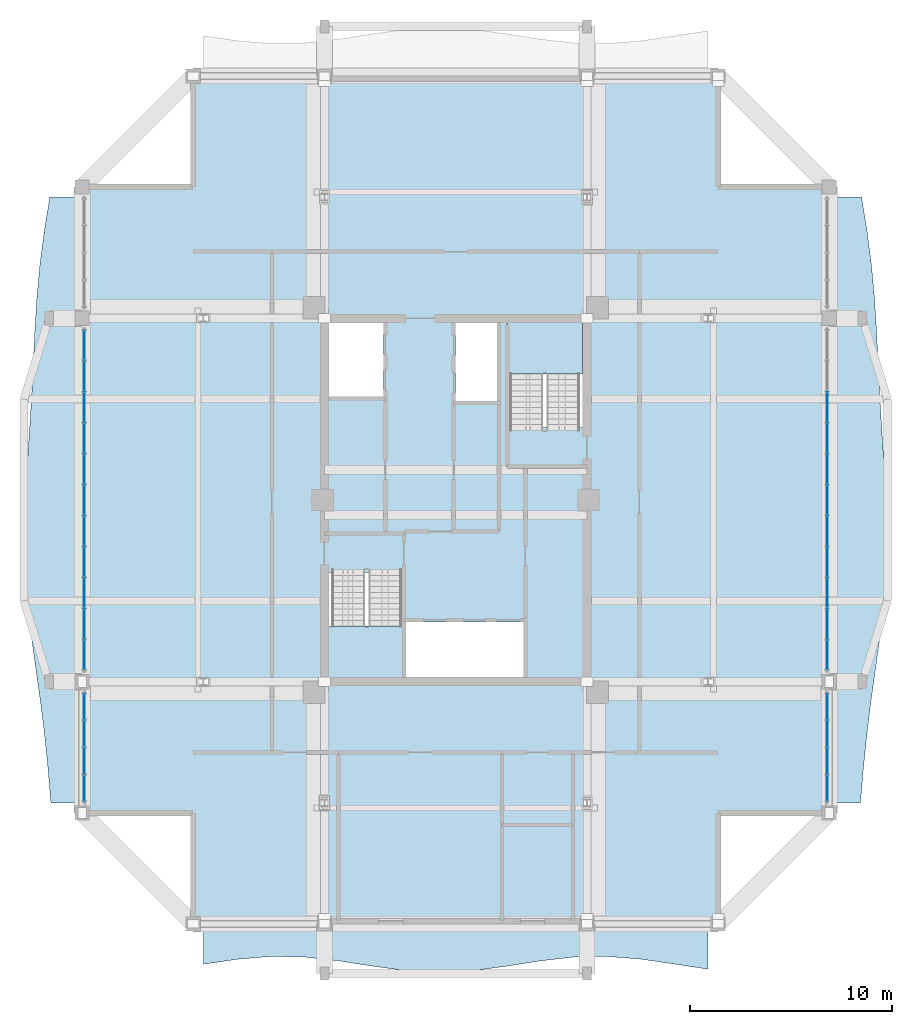
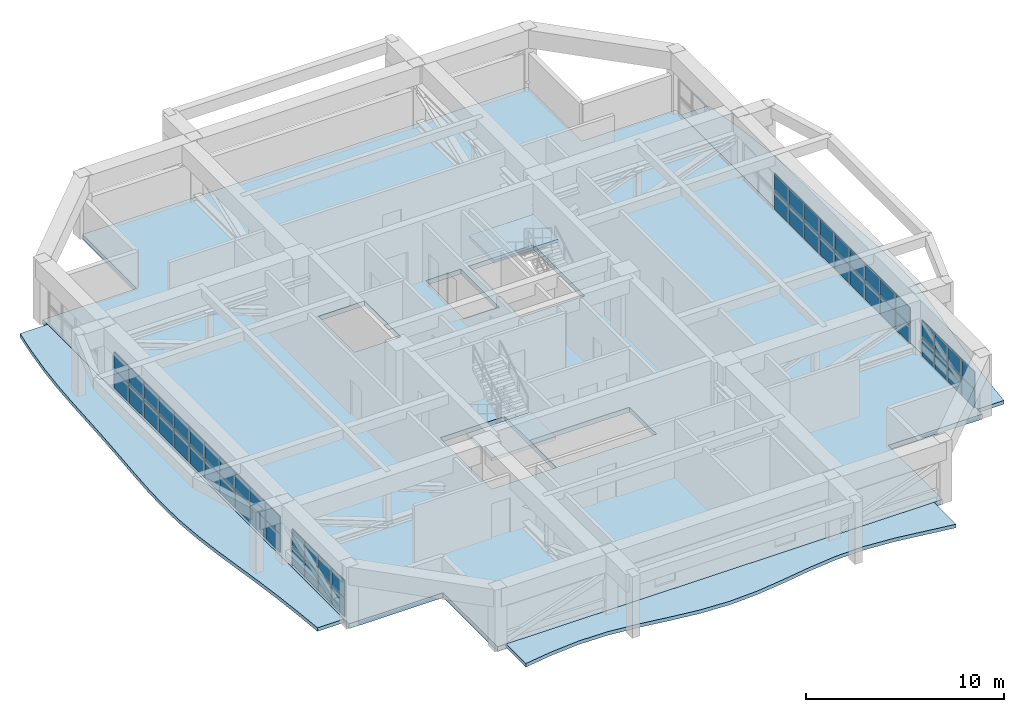
# One storey, part 19 of 25: 56 plates, 6 slabs, 6 elements without a shape of their own.
"""IFC4 building model written with IfcOpenShell, lengths in metres."""

from ifc_helpers import new_model, si_unit, direction, frame, origin, origin_2d, place, context, subcontext, project, spatial, polyline, rectangle, outline, extrude, source, transform, mapped, material, layer, layer_set, type_object, element, aggregate, save


model = new_model("IFC4")

# Units and contexts
model_context = context("Model", 3, precision=1e-05, world=origin(), true_north=direction((0.0, 1.0)))
body_context = subcontext(model_context, "Body", "Model", "MODEL_VIEW")
ifc_project = project(units=[si_unit("LENGTHUNIT", "METRE"), si_unit("AREAUNIT", "SQUARE_METRE"), si_unit("VOLUMEUNIT", "CUBIC_METRE"), si_unit("PLANEANGLEUNIT", "RADIAN"), si_unit("MASSUNIT", "GRAM", prefix="KILO")], contexts=[model_context])

# Site, building, storey
site_placement = place(None, origin())
site = spatial("IfcSite", under=ifc_project, at=site_placement, CompositionType="ELEMENT")
building_placement = place(site_placement, origin())
building = spatial("IfcBuilding", under=site, at=building_placement, Name="Saelheon Loggia Tower", CompositionType="ELEMENT")
storey_placement = place(building_placement, frame((0.0, 0.0, 206.5)))
storey = spatial("IfcBuildingStorey", under=building, at=storey_placement, Name="L64", CompositionType="ELEMENT", Elevation=206.5)

# Slabs
ifc_material_1 = material(Name="Concrete C45/55", Category="concrete")
ifc_layer_1 = layer(ifc_material_1, 0.219970703125)
ifc_layer_set_1 = layer_set([ifc_layer_1], Name="Concrete C45/55")
slab_type_1 = type_object("IfcSlabType", Name="Slab_RefugeTerrace_Ext_220", PredefinedType="FLOOR", material=ifc_layer_set_1)
slab_1_placement = place(storey_placement, frame((0.0, 0.0, -0.219970703125)))
element("IfcSlab", 1, at=slab_1_placement, inside=storey, type_object=slab_type_1, Name="L64 Open Refuge Terrace S", PredefinedType="FLOOR", context=body_context, shape_type="SweptSolid", body=[
    extrude(outline(polyline([(25.5, 4.0), (27.166748046875, 4.248779296875), (28.833251953125, 4.3896484375), (30.5, 4.361328125), (32.166748046875, 4.17626953125), (33.833251953125, 3.914794921875), (35.5, 3.690185546875), (37.166748046875, 3.60009765625), (38.833251953125, 3.68359375), (40.5, 3.904296875), (42.166748046875, 4.16650390625), (43.833251953125, 4.356689453125), (45.5, 4.391845703125), (47.166748046875, 4.257080078125), (48.833251953125, 4.0107421875), (50.5, 3.759765625), (50.5, 6.0), (25.5, 6.0), (25.5, 4.0)])), origin(), (0.0, 0.0, 1.0), 0.219970703125),
])
slab_2_placement = place(storey_placement, frame((0.0, 0.0, -0.219970703125)))
element("IfcSlab", 2, at=slab_2_placement, inside=storey, type_object=slab_type_1, Name="L64 Open Refuge Terrace E", PredefinedType="FLOOR", context=body_context, shape_type="SweptSolid", body=[
    extrude(outline(polyline([(56.5, 12.0), (58.050048828125, 12.0), (58.1923828125, 13.666748046875), (58.360595703125, 15.333251953125), (58.566650390625, 17.0), (58.800537109375, 18.666748046875), (59.033203125, 20.333251953125), (59.2255859375, 22.0), (59.344482421875, 23.666748046875), (59.3759765625, 25.333251953125), (59.32861328125, 27.0), (59.23095703125, 28.666748046875), (59.11767578125, 30.333251953125), (59.014892578125, 32.0), (58.930419921875, 33.666748046875), (58.850341796875, 35.333251953125), (58.7470703125, 37.0), (58.593505859375, 38.666748046875), (58.376708984375, 40.333251953125), (58.105712890625, 42.0), (56.5, 42.0), (56.5, 12.0)])), origin(), (0.0, 0.0, 1.0), 0.219970703125),
])
slab_3_placement = place(storey_placement, frame((0.0, 0.0, -0.219970703125)))
element("IfcSlab", 3, at=slab_3_placement, inside=storey, type_object=slab_type_1, Name="L64 Open Refuge Terrace W", PredefinedType="FLOOR", context=body_context, shape_type="SweptSolid", body=[
    extrude(outline(polyline([(19.5, 12.0), (19.5, 42.0), (17.894287109375, 42.0), (17.623291015625, 40.333251953125), (17.406494140625, 38.666748046875), (17.2529296875, 37.0), (17.149658203125, 35.333251953125), (17.069580078125, 33.666748046875), (16.985107421875, 32.0), (16.88232421875, 30.333251953125), (16.76904296875, 28.666748046875), (16.67138671875, 27.0), (16.6240234375, 25.333251953125), (16.655517578125, 23.666748046875), (16.7744140625, 22.0), (16.966796875, 20.333251953125), (17.199462890625, 18.666748046875), (17.433349609375, 17.0), (17.639404296875, 15.333251953125), (17.8076171875, 13.666748046875), (17.949951171875, 12.0), (19.5, 12.0)])), origin(), (0.0, 0.0, 1.0), 0.219970703125),
])
ifc_material_2 = material(Name="Concrete C50/60", Category="concrete")
ifc_layer_2 = layer(ifc_material_2, 0.300048828125)
ifc_layer_set_2 = layer_set([ifc_layer_2], Name="Concrete C50/60")
slab_type_2 = type_object("IfcSlabType", Name="Slab_Refuge_300", PredefinedType="FLOOR", material=ifc_layer_set_2)
slab_4_placement = place(storey_placement, frame((0.0, 0.0, -0.300048828125)))
element("IfcSlab", 4, at=slab_4_placement, inside=storey, type_object=slab_type_2, Name="L64 Tower Floor Slab", PredefinedType="FLOOR", context=body_context, shape_type="SweptSolid", body=[
    extrude(outline(polyline([(25.0, 6.0), (51.0, 6.0), (51.0, 11.5), (56.5, 11.5), (56.5, 42.5), (51.0, 42.5), (51.0, 48.0), (25.0, 48.0), (25.0, 42.5), (19.5, 42.5), (19.5, 11.5), (25.0, 11.5), (25.0, 6.0)]), holes=[polyline([(31.699951171875, 23.409912109375), (31.699951171875, 18.199951171875), (35.47998046875, 18.199951171875), (35.47998046875, 23.409912109375), (31.699951171875, 23.409912109375)]), polyline([(44.300048828125, 30.590087890625), (44.300048828125, 35.800048828125), (40.52001953125, 35.800048828125), (40.52001953125, 30.590087890625), (44.300048828125, 30.590087890625)]), polyline([(35.530029296875, 18.22509765625), (41.35009765625, 18.22509765625), (41.35009765625, 20.9599609375), (35.530029296875, 20.9599609375), (35.530029296875, 18.22509765625)]), polyline([(31.72509765625, 32.1201171875), (34.419921875, 32.1201171875), (34.419921875, 35.77490234375), (31.72509765625, 35.77490234375), (31.72509765625, 32.1201171875)]), polyline([(38.0, 31.89990234375), (40.050048828125, 31.89990234375), (40.050048828125, 35.77490234375), (38.0, 35.77490234375), (38.0, 31.89990234375)])]), origin(), (0.0, 0.0, 1.0), 0.300048828125),
])

# Stair, slab
ifc_material_3 = material(Name="Concrete C40/50", Category="concrete")
stair_type = type_object("IfcStairType", Name="Stair_Escape_Core", PredefinedType="HALF_TURN_STAIR", material=ifc_material_3)
stair_1_placement = place(storey_placement, origin())
stair_1 = element("IfcStair", 5, at=stair_1_placement, inside=storey, type_object=stair_type, Name="L64 Special Escape Stair ST1", PredefinedType="HALF_TURN_STAIR")
ifc_layer_3 = layer(ifc_material_3, 0.199951171875)
ifc_layer_set_3 = layer_set([ifc_layer_3], Name="Concrete C40/50")
slab_type_3 = type_object("IfcSlabType", Name="Slab_StairLanding_ST1", PredefinedType="LANDING", material=ifc_layer_set_3)
slab_5_placement = place(storey_placement, frame((0.0, 0.0, 1.699951171875)))
slab_5 = element("IfcSlab", 6, at=slab_5_placement, type_object=slab_type_3, Name="ST1 landing 1", PredefinedType="LANDING", context=body_context, shape_type="SweptSolid", body=[
    extrude(outline(polyline([(31.7099609375, 20.75), (31.7099609375, 18.2099609375), (35.469970703125, 18.2099609375), (35.469970703125, 20.75), (31.7099609375, 20.75)])), origin(), (0.0, 0.0, 1.0), 0.199951171875),
])
aggregate(stair_1, [slab_5])

stair_2_placement = place(storey_placement, origin())
stair_2 = element("IfcStair", 7, at=stair_2_placement, inside=storey, type_object=stair_type, Name="L64 Special Escape Stair ST2", PredefinedType="HALF_TURN_STAIR")
ifc_layer_4 = layer(ifc_material_3, 0.199951171875)
ifc_layer_set_4 = layer_set([ifc_layer_4], Name="Concrete C40/50")
slab_type_4 = type_object("IfcSlabType", Name="Slab_StairLanding_ST2", PredefinedType="LANDING", material=ifc_layer_set_4)
slab_6_placement = place(storey_placement, frame((0.0, 0.0, 1.699951171875)))
slab_6 = element("IfcSlab", 8, at=slab_6_placement, type_object=slab_type_4, Name="ST2 landing 1", PredefinedType="LANDING", context=body_context, shape_type="SweptSolid", body=[
    extrude(outline(polyline([(44.2900390625, 33.25), (44.2900390625, 35.7900390625), (40.530029296875, 35.7900390625), (40.530029296875, 33.25), (44.2900390625, 33.25)])), origin(), (0.0, 0.0, 1.0), 0.199951171875),
])
aggregate(stair_2, [slab_6])

# Curtain wall, plates
ifc_material_4 = material(Name="Anodised Aluminium Acoustic Louvre Curtain Wall", Category="aluminium")
ifc_layer_5 = layer(ifc_material_4, 0.179931640625)
ifc_layer_set_5 = layer_set([ifc_layer_5], Name="Anodised Aluminium Acoustic Louvre Curtain Wall")
curtain_wall_type = type_object("IfcCurtainWallType", Name="CW_RefugeAcoustic", PredefinedType="NOTDEFINED", material=ifc_layer_set_5)
curtain_wall_1_placement = place(storey_placement, origin())
curtain_wall_1 = element("IfcCurtainWall", 9, at=curtain_wall_1_placement, inside=storey, type_object=curtain_wall_type, Name="L64 W Refuge Acoustic Curtain Wall 2", PredefinedType="NOTDEFINED")
ifc_material_5 = material(Name="Triple Low-E Laminated Glazing", Category="glass")
ifc_layer_6 = layer(ifc_material_5, 0.0400390625)
ifc_layer_set_6 = layer_set([ifc_layer_6], Name="Triple Low-E Laminated Glazing")
plate_type = type_object("IfcPlateType", Name="CW_RefugeAcoustic_Panel", PredefinedType="CURTAIN_PANEL", material=ifc_layer_set_6)
shared_shape_1 = source(origin(), body_context, "Body", "SweptSolid", [
    extrude(rectangle(XDim=1.43896484375, YDim=0.0400390625, at=origin_2d()), origin(), (0.0, 0.0, 1.0), 1.1025390625),
])
plate_1_placement = place(storey_placement, frame((19.60009765625, 19.33447265625, 0.06494140625), z_axis=(0.0, 0.0, 1.0), x_axis=(0.0, 1.0, 0.0)))
plate_1 = element("IfcPlate", 10, at=plate_1_placement, type_object=plate_type, Name="CW5 panel 1.1", PredefinedType="CURTAIN_PANEL", context=body_context, shape_type="MappedRepresentation", body=[
    mapped(shared_shape_1, transform((0.0, 0.0, 0.0), scale=1.0)),
])
plate_2_placement = place(storey_placement, frame((19.60009765625, 34.66552734375, 0.06494140625), z_axis=(0.0, 0.0, 1.0), x_axis=(0.0, 1.0, 0.0)))
plate_2 = element("IfcPlate", 11, at=plate_2_placement, type_object=plate_type, Name="CW5 panel 11.1", PredefinedType="CURTAIN_PANEL", context=body_context, shape_type="MappedRepresentation", body=[
    mapped(shared_shape_1, transform((0.0, 0.0, 0.0), scale=1.0)),
])

# Curtain wall, plate
curtain_wall_2_placement = place(storey_placement, origin())
curtain_wall_2 = element("IfcCurtainWall", 12, at=curtain_wall_2_placement, inside=storey, type_object=curtain_wall_type, Name="L64 E Refuge Acoustic Curtain Wall 2", PredefinedType="NOTDEFINED")
plate_3_placement = place(storey_placement, frame((56.39990234375, 19.33447265625, 0.06494140625), z_axis=(0.0, 0.0, 1.0), x_axis=(0.0, 1.0, 0.0)))
plate_3 = element("IfcPlate", 13, at=plate_3_placement, type_object=plate_type, Name="CW5 panel 1.1", PredefinedType="CURTAIN_PANEL", context=body_context, shape_type="MappedRepresentation", body=[
    mapped(shared_shape_1, transform((0.0, 0.0, 0.0), scale=1.0)),
])

# Plate
shared_shape_2 = source(origin(), body_context, "Body", "SweptSolid", [
    extrude(rectangle(XDim=1.471435546875, YDim=0.0400390625, at=origin_2d()), origin(), (0.0, 0.0, 1.0), 1.1025390625),
])
plate_4_placement = place(storey_placement, frame((19.60009765625, 20.8544921875, 0.06494140625), z_axis=(0.0, 0.0, 1.0), x_axis=(0.0, 1.0, 0.0)))
plate_4 = element("IfcPlate", 14, at=plate_4_placement, type_object=plate_type, Name="CW5 panel 2.1", PredefinedType="CURTAIN_PANEL", context=body_context, shape_type="MappedRepresentation", body=[
    mapped(shared_shape_2, transform((0.0, 0.0, 0.0), scale=1.0)),
])

plate_5_placement = place(storey_placement, frame((19.60009765625, 22.390869140625, 0.06494140625), z_axis=(0.0, 0.0, 1.0), x_axis=(0.0, 1.0, 0.0)))
plate_5 = element("IfcPlate", 15, at=plate_5_placement, type_object=plate_type, Name="CW5 panel 3.1", PredefinedType="CURTAIN_PANEL", context=body_context, shape_type="MappedRepresentation", body=[
    mapped(shared_shape_2, transform((0.0, 0.0, 0.0), scale=1.0)),
])

plate_6_placement = place(storey_placement, frame((19.60009765625, 23.92724609375, 0.06494140625), z_axis=(0.0, 0.0, 1.0), x_axis=(0.0, 1.0, 0.0)))
plate_6 = element("IfcPlate", 16, at=plate_6_placement, type_object=plate_type, Name="CW5 panel 4.1", PredefinedType="CURTAIN_PANEL", context=body_context, shape_type="MappedRepresentation", body=[
    mapped(shared_shape_2, transform((0.0, 0.0, 0.0), scale=1.0)),
])

plate_7_placement = place(storey_placement, frame((19.60009765625, 25.463623046875, 0.06494140625), z_axis=(0.0, 0.0, 1.0), x_axis=(0.0, 1.0, 0.0)))
plate_7 = element("IfcPlate", 17, at=plate_7_placement, type_object=plate_type, Name="CW5 panel 5.1", PredefinedType="CURTAIN_PANEL", context=body_context, shape_type="MappedRepresentation", body=[
    mapped(shared_shape_2, transform((0.0, 0.0, 0.0), scale=1.0)),
])

plate_8_placement = place(storey_placement, frame((19.60009765625, 27.0, 0.06494140625), z_axis=(0.0, 0.0, 1.0), x_axis=(0.0, 1.0, 0.0)))
plate_8 = element("IfcPlate", 18, at=plate_8_placement, type_object=plate_type, Name="CW5 panel 6.1", PredefinedType="CURTAIN_PANEL", context=body_context, shape_type="MappedRepresentation", body=[
    mapped(shared_shape_2, transform((0.0, 0.0, 0.0), scale=1.0)),
])

plate_9_placement = place(storey_placement, frame((19.60009765625, 28.536376953125, 0.06494140625), z_axis=(0.0, 0.0, 1.0), x_axis=(0.0, 1.0, 0.0)))
plate_9 = element("IfcPlate", 19, at=plate_9_placement, type_object=plate_type, Name="CW5 panel 7.1", PredefinedType="CURTAIN_PANEL", context=body_context, shape_type="MappedRepresentation", body=[
    mapped(shared_shape_2, transform((0.0, 0.0, 0.0), scale=1.0)),
])

plate_10_placement = place(storey_placement, frame((19.60009765625, 30.07275390625, 0.06494140625), z_axis=(0.0, 0.0, 1.0), x_axis=(0.0, 1.0, 0.0)))
plate_10 = element("IfcPlate", 20, at=plate_10_placement, type_object=plate_type, Name="CW5 panel 8.1", PredefinedType="CURTAIN_PANEL", context=body_context, shape_type="MappedRepresentation", body=[
    mapped(shared_shape_2, transform((0.0, 0.0, 0.0), scale=1.0)),
])

plate_11_placement = place(storey_placement, frame((19.60009765625, 31.609130859375, 0.06494140625), z_axis=(0.0, 0.0, 1.0), x_axis=(0.0, 1.0, 0.0)))
plate_11 = element("IfcPlate", 21, at=plate_11_placement, type_object=plate_type, Name="CW5 panel 9.1", PredefinedType="CURTAIN_PANEL", context=body_context, shape_type="MappedRepresentation", body=[
    mapped(shared_shape_2, transform((0.0, 0.0, 0.0), scale=1.0)),
])

plate_12_placement = place(storey_placement, frame((19.60009765625, 33.1455078125, 0.06494140625), z_axis=(0.0, 0.0, 1.0), x_axis=(0.0, 1.0, 0.0)))
plate_12 = element("IfcPlate", 22, at=plate_12_placement, type_object=plate_type, Name="CW5 panel 10.1", PredefinedType="CURTAIN_PANEL", context=body_context, shape_type="MappedRepresentation", body=[
    mapped(shared_shape_2, transform((0.0, 0.0, 0.0), scale=1.0)),
])

plate_13_placement = place(storey_placement, frame((56.39990234375, 20.8544921875, 0.06494140625), z_axis=(0.0, 0.0, 1.0), x_axis=(0.0, 1.0, 0.0)))
plate_13 = element("IfcPlate", 23, at=plate_13_placement, type_object=plate_type, Name="CW5 panel 2.1", PredefinedType="CURTAIN_PANEL", context=body_context, shape_type="MappedRepresentation", body=[
    mapped(shared_shape_2, transform((0.0, 0.0, 0.0), scale=1.0)),
])

plate_14_placement = place(storey_placement, frame((56.39990234375, 22.390869140625, 0.06494140625), z_axis=(0.0, 0.0, 1.0), x_axis=(0.0, 1.0, 0.0)))
plate_14 = element("IfcPlate", 24, at=plate_14_placement, type_object=plate_type, Name="CW5 panel 3.1", PredefinedType="CURTAIN_PANEL", context=body_context, shape_type="MappedRepresentation", body=[
    mapped(shared_shape_2, transform((0.0, 0.0, 0.0), scale=1.0)),
])

plate_15_placement = place(storey_placement, frame((56.39990234375, 23.92724609375, 0.06494140625), z_axis=(0.0, 0.0, 1.0), x_axis=(0.0, 1.0, 0.0)))
plate_15 = element("IfcPlate", 25, at=plate_15_placement, type_object=plate_type, Name="CW5 panel 4.1", PredefinedType="CURTAIN_PANEL", context=body_context, shape_type="MappedRepresentation", body=[
    mapped(shared_shape_2, transform((0.0, 0.0, 0.0), scale=1.0)),
])

plate_16_placement = place(storey_placement, frame((56.39990234375, 25.463623046875, 0.06494140625), z_axis=(0.0, 0.0, 1.0), x_axis=(0.0, 1.0, 0.0)))
plate_16 = element("IfcPlate", 26, at=plate_16_placement, type_object=plate_type, Name="CW5 panel 5.1", PredefinedType="CURTAIN_PANEL", context=body_context, shape_type="MappedRepresentation", body=[
    mapped(shared_shape_2, transform((0.0, 0.0, 0.0), scale=1.0)),
])

plate_17_placement = place(storey_placement, frame((56.39990234375, 27.0, 0.06494140625), z_axis=(0.0, 0.0, 1.0), x_axis=(0.0, 1.0, 0.0)))
plate_17 = element("IfcPlate", 27, at=plate_17_placement, type_object=plate_type, Name="CW5 panel 6.1", PredefinedType="CURTAIN_PANEL", context=body_context, shape_type="MappedRepresentation", body=[
    mapped(shared_shape_2, transform((0.0, 0.0, 0.0), scale=1.0)),
])

plate_18_placement = place(storey_placement, frame((56.39990234375, 28.536376953125, 0.06494140625), z_axis=(0.0, 0.0, 1.0), x_axis=(0.0, 1.0, 0.0)))
plate_18 = element("IfcPlate", 28, at=plate_18_placement, type_object=plate_type, Name="CW5 panel 7.1", PredefinedType="CURTAIN_PANEL", context=body_context, shape_type="MappedRepresentation", body=[
    mapped(shared_shape_2, transform((0.0, 0.0, 0.0), scale=1.0)),
])

plate_19_placement = place(storey_placement, frame((56.39990234375, 30.07275390625, 0.06494140625), z_axis=(0.0, 0.0, 1.0), x_axis=(0.0, 1.0, 0.0)))
plate_19 = element("IfcPlate", 29, at=plate_19_placement, type_object=plate_type, Name="CW5 panel 8.1", PredefinedType="CURTAIN_PANEL", context=body_context, shape_type="MappedRepresentation", body=[
    mapped(shared_shape_2, transform((0.0, 0.0, 0.0), scale=1.0)),
])

plate_20_placement = place(storey_placement, frame((56.39990234375, 31.609130859375, 0.06494140625), z_axis=(0.0, 0.0, 1.0), x_axis=(0.0, 1.0, 0.0)))
plate_20 = element("IfcPlate", 30, at=plate_20_placement, type_object=plate_type, Name="CW5 panel 9.1", PredefinedType="CURTAIN_PANEL", context=body_context, shape_type="MappedRepresentation", body=[
    mapped(shared_shape_2, transform((0.0, 0.0, 0.0), scale=1.0)),
])

# Curtain wall, plates
curtain_wall_3_placement = place(storey_placement, origin())
curtain_wall_3 = element("IfcCurtainWall", 31, at=curtain_wall_3_placement, inside=storey, type_object=curtain_wall_type, Name="L64 W Refuge Acoustic Curtain Wall 1", PredefinedType="NOTDEFINED")
shared_shape_3 = source(origin(), body_context, "Body", "SweptSolid", [
    extrude(rectangle(XDim=1.25244140625, YDim=0.0400390625, at=origin_2d()), origin(), (0.0, 0.0, 1.0), 1.1025390625),
])
plate_21_placement = place(storey_placement, frame((19.60009765625, 12.7412109375, 0.06494140625), z_axis=(0.0, 0.0, 1.0), x_axis=(0.0, 1.0, 0.0)))
plate_21 = element("IfcPlate", 32, at=plate_21_placement, type_object=plate_type, Name="CW5 panel 1.1", PredefinedType="CURTAIN_PANEL", context=body_context, shape_type="MappedRepresentation", body=[
    mapped(shared_shape_3, transform((0.0, 0.0, 0.0), scale=1.0)),
])
plate_22_placement = place(storey_placement, frame((19.60009765625, 16.7587890625, 0.06494140625), z_axis=(0.0, 0.0, 1.0), x_axis=(0.0, 1.0, 0.0)))
plate_22 = element("IfcPlate", 33, at=plate_22_placement, type_object=plate_type, Name="CW5 panel 4.1", PredefinedType="CURTAIN_PANEL", context=body_context, shape_type="MappedRepresentation", body=[
    mapped(shared_shape_3, transform((0.0, 0.0, 0.0), scale=1.0)),
])

curtain_wall_4_placement = place(storey_placement, origin())
curtain_wall_4 = element("IfcCurtainWall", 34, at=curtain_wall_4_placement, inside=storey, type_object=curtain_wall_type, Name="L64 E Refuge Acoustic Curtain Wall 1", PredefinedType="NOTDEFINED")
plate_23_placement = place(storey_placement, frame((56.39990234375, 12.7412109375, 0.06494140625), z_axis=(0.0, 0.0, 1.0), x_axis=(0.0, 1.0, 0.0)))
plate_23 = element("IfcPlate", 35, at=plate_23_placement, type_object=plate_type, Name="CW5 panel 1.1", PredefinedType="CURTAIN_PANEL", context=body_context, shape_type="MappedRepresentation", body=[
    mapped(shared_shape_3, transform((0.0, 0.0, 0.0), scale=1.0)),
])
plate_24_placement = place(storey_placement, frame((56.39990234375, 16.7587890625, 0.06494140625), z_axis=(0.0, 0.0, 1.0), x_axis=(0.0, 1.0, 0.0)))
plate_24 = element("IfcPlate", 36, at=plate_24_placement, type_object=plate_type, Name="CW5 panel 4.1", PredefinedType="CURTAIN_PANEL", context=body_context, shape_type="MappedRepresentation", body=[
    mapped(shared_shape_3, transform((0.0, 0.0, 0.0), scale=1.0)),
])

# Plate
shared_shape_4 = source(origin(), body_context, "Body", "SweptSolid", [
    extrude(rectangle(XDim=1.25244140625, YDim=0.0400390625, at=origin_2d()), origin(), (0.0, 0.0, 1.0), 1.04248046875),
])
plate_25_placement = place(storey_placement, frame((19.60009765625, 12.7412109375, 1.232421875), z_axis=(0.0, 0.0, 1.0), x_axis=(0.0, 1.0, 0.0)))
plate_25 = element("IfcPlate", 37, at=plate_25_placement, type_object=plate_type, Name="CW5 panel 1.2", PredefinedType="CURTAIN_PANEL", context=body_context, shape_type="MappedRepresentation", body=[
    mapped(shared_shape_4, transform((0.0, 0.0, 0.0), scale=1.0)),
])

plate_26_placement = place(storey_placement, frame((19.60009765625, 16.7587890625, 1.232421875), z_axis=(0.0, 0.0, 1.0), x_axis=(0.0, 1.0, 0.0)))
plate_26 = element("IfcPlate", 38, at=plate_26_placement, type_object=plate_type, Name="CW5 panel 4.2", PredefinedType="CURTAIN_PANEL", context=body_context, shape_type="MappedRepresentation", body=[
    mapped(shared_shape_4, transform((0.0, 0.0, 0.0), scale=1.0)),
])

plate_27_placement = place(storey_placement, frame((56.39990234375, 12.7412109375, 1.232421875), z_axis=(0.0, 0.0, 1.0), x_axis=(0.0, 1.0, 0.0)))
plate_27 = element("IfcPlate", 39, at=plate_27_placement, type_object=plate_type, Name="CW5 panel 1.2", PredefinedType="CURTAIN_PANEL", context=body_context, shape_type="MappedRepresentation", body=[
    mapped(shared_shape_4, transform((0.0, 0.0, 0.0), scale=1.0)),
])

plate_28_placement = place(storey_placement, frame((56.39990234375, 16.7587890625, 1.232421875), z_axis=(0.0, 0.0, 1.0), x_axis=(0.0, 1.0, 0.0)))
plate_28 = element("IfcPlate", 40, at=plate_28_placement, type_object=plate_type, Name="CW5 panel 4.2", PredefinedType="CURTAIN_PANEL", context=body_context, shape_type="MappedRepresentation", body=[
    mapped(shared_shape_4, transform((0.0, 0.0, 0.0), scale=1.0)),
])

shared_shape_5 = source(origin(), body_context, "Body", "SweptSolid", [
    extrude(rectangle(XDim=1.284912109375, YDim=0.0400390625, at=origin_2d()), origin(), (0.0, 0.0, 1.0), 1.1025390625),
])
plate_29_placement = place(storey_placement, frame((19.60009765625, 14.074951171875, 0.06494140625), z_axis=(0.0, 0.0, 1.0), x_axis=(0.0, 1.0, 0.0)))
plate_29 = element("IfcPlate", 41, at=plate_29_placement, type_object=plate_type, Name="CW5 panel 2.1", PredefinedType="CURTAIN_PANEL", context=body_context, shape_type="MappedRepresentation", body=[
    mapped(shared_shape_5, transform((0.0, 0.0, 0.0), scale=1.0)),
])

plate_30_placement = place(storey_placement, frame((19.60009765625, 15.425048828125, 0.06494140625), z_axis=(0.0, 0.0, 1.0), x_axis=(0.0, 1.0, 0.0)))
plate_30 = element("IfcPlate", 42, at=plate_30_placement, type_object=plate_type, Name="CW5 panel 3.1", PredefinedType="CURTAIN_PANEL", context=body_context, shape_type="MappedRepresentation", body=[
    mapped(shared_shape_5, transform((0.0, 0.0, 0.0), scale=1.0)),
])

plate_31_placement = place(storey_placement, frame((56.39990234375, 14.074951171875, 0.06494140625), z_axis=(0.0, 0.0, 1.0), x_axis=(0.0, 1.0, 0.0)))
plate_31 = element("IfcPlate", 43, at=plate_31_placement, type_object=plate_type, Name="CW5 panel 2.1", PredefinedType="CURTAIN_PANEL", context=body_context, shape_type="MappedRepresentation", body=[
    mapped(shared_shape_5, transform((0.0, 0.0, 0.0), scale=1.0)),
])

plate_32_placement = place(storey_placement, frame((56.39990234375, 15.425048828125, 0.06494140625), z_axis=(0.0, 0.0, 1.0), x_axis=(0.0, 1.0, 0.0)))
plate_32 = element("IfcPlate", 44, at=plate_32_placement, type_object=plate_type, Name="CW5 panel 3.1", PredefinedType="CURTAIN_PANEL", context=body_context, shape_type="MappedRepresentation", body=[
    mapped(shared_shape_5, transform((0.0, 0.0, 0.0), scale=1.0)),
])

shared_shape_6 = source(origin(), body_context, "Body", "SweptSolid", [
    extrude(rectangle(XDim=1.284912109375, YDim=0.0400390625, at=origin_2d()), origin(), (0.0, 0.0, 1.0), 1.04248046875),
])
plate_33_placement = place(storey_placement, frame((19.60009765625, 14.074951171875, 1.232421875), z_axis=(0.0, 0.0, 1.0), x_axis=(0.0, 1.0, 0.0)))
plate_33 = element("IfcPlate", 45, at=plate_33_placement, type_object=plate_type, Name="CW5 panel 2.2", PredefinedType="CURTAIN_PANEL", context=body_context, shape_type="MappedRepresentation", body=[
    mapped(shared_shape_6, transform((0.0, 0.0, 0.0), scale=1.0)),
])

plate_34_placement = place(storey_placement, frame((19.60009765625, 15.425048828125, 1.232421875), z_axis=(0.0, 0.0, 1.0), x_axis=(0.0, 1.0, 0.0)))
plate_34 = element("IfcPlate", 46, at=plate_34_placement, type_object=plate_type, Name="CW5 panel 3.2", PredefinedType="CURTAIN_PANEL", context=body_context, shape_type="MappedRepresentation", body=[
    mapped(shared_shape_6, transform((0.0, 0.0, 0.0), scale=1.0)),
])

aggregate(curtain_wall_3, [plate_21, plate_25, plate_29, plate_33, plate_30, plate_34, plate_22, plate_26])

plate_35_placement = place(storey_placement, frame((56.39990234375, 14.074951171875, 1.232421875), z_axis=(0.0, 0.0, 1.0), x_axis=(0.0, 1.0, 0.0)))
plate_35 = element("IfcPlate", 47, at=plate_35_placement, type_object=plate_type, Name="CW5 panel 2.2", PredefinedType="CURTAIN_PANEL", context=body_context, shape_type="MappedRepresentation", body=[
    mapped(shared_shape_6, transform((0.0, 0.0, 0.0), scale=1.0)),
])

plate_36_placement = place(storey_placement, frame((56.39990234375, 15.425048828125, 1.232421875), z_axis=(0.0, 0.0, 1.0), x_axis=(0.0, 1.0, 0.0)))
plate_36 = element("IfcPlate", 48, at=plate_36_placement, type_object=plate_type, Name="CW5 panel 3.2", PredefinedType="CURTAIN_PANEL", context=body_context, shape_type="MappedRepresentation", body=[
    mapped(shared_shape_6, transform((0.0, 0.0, 0.0), scale=1.0)),
])

aggregate(curtain_wall_4, [plate_23, plate_27, plate_31, plate_35, plate_32, plate_36, plate_24, plate_28])

shared_shape_7 = source(origin(), body_context, "Body", "SweptSolid", [
    extrude(rectangle(XDim=1.43896484375, YDim=0.0400390625, at=origin_2d()), origin(), (0.0, 0.0, 1.0), 1.04248046875),
])
plate_37_placement = place(storey_placement, frame((19.60009765625, 19.33447265625, 1.232421875), z_axis=(0.0, 0.0, 1.0), x_axis=(0.0, 1.0, 0.0)))
plate_37 = element("IfcPlate", 49, at=plate_37_placement, type_object=plate_type, Name="CW5 panel 1.2", PredefinedType="CURTAIN_PANEL", context=body_context, shape_type="MappedRepresentation", body=[
    mapped(shared_shape_7, transform((0.0, 0.0, 0.0), scale=1.0)),
])

plate_38_placement = place(storey_placement, frame((19.60009765625, 34.66552734375, 1.232421875), z_axis=(0.0, 0.0, 1.0), x_axis=(0.0, 1.0, 0.0)))
plate_38 = element("IfcPlate", 50, at=plate_38_placement, type_object=plate_type, Name="CW5 panel 11.2", PredefinedType="CURTAIN_PANEL", context=body_context, shape_type="MappedRepresentation", body=[
    mapped(shared_shape_7, transform((0.0, 0.0, 0.0), scale=1.0)),
])

plate_39_placement = place(storey_placement, frame((56.39990234375, 19.33447265625, 1.232421875), z_axis=(0.0, 0.0, 1.0), x_axis=(0.0, 1.0, 0.0)))
plate_39 = element("IfcPlate", 51, at=plate_39_placement, type_object=plate_type, Name="CW5 panel 1.2", PredefinedType="CURTAIN_PANEL", context=body_context, shape_type="MappedRepresentation", body=[
    mapped(shared_shape_7, transform((0.0, 0.0, 0.0), scale=1.0)),
])

shared_shape_8 = source(origin(), body_context, "Body", "SweptSolid", [
    extrude(rectangle(XDim=1.471435546875, YDim=0.0400390625, at=origin_2d()), origin(), (0.0, 0.0, 1.0), 1.04248046875),
])
plate_40_placement = place(storey_placement, frame((19.60009765625, 20.8544921875, 1.232421875), z_axis=(0.0, 0.0, 1.0), x_axis=(0.0, 1.0, 0.0)))
plate_40 = element("IfcPlate", 52, at=plate_40_placement, type_object=plate_type, Name="CW5 panel 2.2", PredefinedType="CURTAIN_PANEL", context=body_context, shape_type="MappedRepresentation", body=[
    mapped(shared_shape_8, transform((0.0, 0.0, 0.0), scale=1.0)),
])

plate_41_placement = place(storey_placement, frame((19.60009765625, 22.390869140625, 1.232421875), z_axis=(0.0, 0.0, 1.0), x_axis=(0.0, 1.0, 0.0)))
plate_41 = element("IfcPlate", 53, at=plate_41_placement, type_object=plate_type, Name="CW5 panel 3.2", PredefinedType="CURTAIN_PANEL", context=body_context, shape_type="MappedRepresentation", body=[
    mapped(shared_shape_8, transform((0.0, 0.0, 0.0), scale=1.0)),
])

plate_42_placement = place(storey_placement, frame((19.60009765625, 23.92724609375, 1.232421875), z_axis=(0.0, 0.0, 1.0), x_axis=(0.0, 1.0, 0.0)))
plate_42 = element("IfcPlate", 54, at=plate_42_placement, type_object=plate_type, Name="CW5 panel 4.2", PredefinedType="CURTAIN_PANEL", context=body_context, shape_type="MappedRepresentation", body=[
    mapped(shared_shape_8, transform((0.0, 0.0, 0.0), scale=1.0)),
])

plate_43_placement = place(storey_placement, frame((19.60009765625, 25.463623046875, 1.232421875), z_axis=(0.0, 0.0, 1.0), x_axis=(0.0, 1.0, 0.0)))
plate_43 = element("IfcPlate", 55, at=plate_43_placement, type_object=plate_type, Name="CW5 panel 5.2", PredefinedType="CURTAIN_PANEL", context=body_context, shape_type="MappedRepresentation", body=[
    mapped(shared_shape_8, transform((0.0, 0.0, 0.0), scale=1.0)),
])

plate_44_placement = place(storey_placement, frame((19.60009765625, 27.0, 1.232421875), z_axis=(0.0, 0.0, 1.0), x_axis=(0.0, 1.0, 0.0)))
plate_44 = element("IfcPlate", 56, at=plate_44_placement, type_object=plate_type, Name="CW5 panel 6.2", PredefinedType="CURTAIN_PANEL", context=body_context, shape_type="MappedRepresentation", body=[
    mapped(shared_shape_8, transform((0.0, 0.0, 0.0), scale=1.0)),
])

plate_45_placement = place(storey_placement, frame((19.60009765625, 28.536376953125, 1.232421875), z_axis=(0.0, 0.0, 1.0), x_axis=(0.0, 1.0, 0.0)))
plate_45 = element("IfcPlate", 57, at=plate_45_placement, type_object=plate_type, Name="CW5 panel 7.2", PredefinedType="CURTAIN_PANEL", context=body_context, shape_type="MappedRepresentation", body=[
    mapped(shared_shape_8, transform((0.0, 0.0, 0.0), scale=1.0)),
])

plate_46_placement = place(storey_placement, frame((19.60009765625, 30.07275390625, 1.232421875), z_axis=(0.0, 0.0, 1.0), x_axis=(0.0, 1.0, 0.0)))
plate_46 = element("IfcPlate", 58, at=plate_46_placement, type_object=plate_type, Name="CW5 panel 8.2", PredefinedType="CURTAIN_PANEL", context=body_context, shape_type="MappedRepresentation", body=[
    mapped(shared_shape_8, transform((0.0, 0.0, 0.0), scale=1.0)),
])

plate_47_placement = place(storey_placement, frame((19.60009765625, 31.609130859375, 1.232421875), z_axis=(0.0, 0.0, 1.0), x_axis=(0.0, 1.0, 0.0)))
plate_47 = element("IfcPlate", 59, at=plate_47_placement, type_object=plate_type, Name="CW5 panel 9.2", PredefinedType="CURTAIN_PANEL", context=body_context, shape_type="MappedRepresentation", body=[
    mapped(shared_shape_8, transform((0.0, 0.0, 0.0), scale=1.0)),
])

plate_48_placement = place(storey_placement, frame((19.60009765625, 33.1455078125, 1.232421875), z_axis=(0.0, 0.0, 1.0), x_axis=(0.0, 1.0, 0.0)))
plate_48 = element("IfcPlate", 60, at=plate_48_placement, type_object=plate_type, Name="CW5 panel 10.2", PredefinedType="CURTAIN_PANEL", context=body_context, shape_type="MappedRepresentation", body=[
    mapped(shared_shape_8, transform((0.0, 0.0, 0.0), scale=1.0)),
])

aggregate(curtain_wall_1, [plate_1, plate_37, plate_4, plate_40, plate_5, plate_41, plate_6, plate_42, plate_7, plate_43, plate_8, plate_44, plate_9, plate_45, plate_10, plate_46, plate_11, plate_47, plate_12, plate_48, plate_2, plate_38])

plate_49_placement = place(storey_placement, frame((56.39990234375, 20.8544921875, 1.232421875), z_axis=(0.0, 0.0, 1.0), x_axis=(0.0, 1.0, 0.0)))
plate_49 = element("IfcPlate", 61, at=plate_49_placement, type_object=plate_type, Name="CW5 panel 2.2", PredefinedType="CURTAIN_PANEL", context=body_context, shape_type="MappedRepresentation", body=[
    mapped(shared_shape_8, transform((0.0, 0.0, 0.0), scale=1.0)),
])

plate_50_placement = place(storey_placement, frame((56.39990234375, 22.390869140625, 1.232421875), z_axis=(0.0, 0.0, 1.0), x_axis=(0.0, 1.0, 0.0)))
plate_50 = element("IfcPlate", 62, at=plate_50_placement, type_object=plate_type, Name="CW5 panel 3.2", PredefinedType="CURTAIN_PANEL", context=body_context, shape_type="MappedRepresentation", body=[
    mapped(shared_shape_8, transform((0.0, 0.0, 0.0), scale=1.0)),
])

plate_51_placement = place(storey_placement, frame((56.39990234375, 23.92724609375, 1.232421875), z_axis=(0.0, 0.0, 1.0), x_axis=(0.0, 1.0, 0.0)))
plate_51 = element("IfcPlate", 63, at=plate_51_placement, type_object=plate_type, Name="CW5 panel 4.2", PredefinedType="CURTAIN_PANEL", context=body_context, shape_type="MappedRepresentation", body=[
    mapped(shared_shape_8, transform((0.0, 0.0, 0.0), scale=1.0)),
])

plate_52_placement = place(storey_placement, frame((56.39990234375, 25.463623046875, 1.232421875), z_axis=(0.0, 0.0, 1.0), x_axis=(0.0, 1.0, 0.0)))
plate_52 = element("IfcPlate", 64, at=plate_52_placement, type_object=plate_type, Name="CW5 panel 5.2", PredefinedType="CURTAIN_PANEL", context=body_context, shape_type="MappedRepresentation", body=[
    mapped(shared_shape_8, transform((0.0, 0.0, 0.0), scale=1.0)),
])

plate_53_placement = place(storey_placement, frame((56.39990234375, 27.0, 1.232421875), z_axis=(0.0, 0.0, 1.0), x_axis=(0.0, 1.0, 0.0)))
plate_53 = element("IfcPlate", 65, at=plate_53_placement, type_object=plate_type, Name="CW5 panel 6.2", PredefinedType="CURTAIN_PANEL", context=body_context, shape_type="MappedRepresentation", body=[
    mapped(shared_shape_8, transform((0.0, 0.0, 0.0), scale=1.0)),
])

plate_54_placement = place(storey_placement, frame((56.39990234375, 28.536376953125, 1.232421875), z_axis=(0.0, 0.0, 1.0), x_axis=(0.0, 1.0, 0.0)))
plate_54 = element("IfcPlate", 66, at=plate_54_placement, type_object=plate_type, Name="CW5 panel 7.2", PredefinedType="CURTAIN_PANEL", context=body_context, shape_type="MappedRepresentation", body=[
    mapped(shared_shape_8, transform((0.0, 0.0, 0.0), scale=1.0)),
])

plate_55_placement = place(storey_placement, frame((56.39990234375, 30.07275390625, 1.232421875), z_axis=(0.0, 0.0, 1.0), x_axis=(0.0, 1.0, 0.0)))
plate_55 = element("IfcPlate", 67, at=plate_55_placement, type_object=plate_type, Name="CW5 panel 8.2", PredefinedType="CURTAIN_PANEL", context=body_context, shape_type="MappedRepresentation", body=[
    mapped(shared_shape_8, transform((0.0, 0.0, 0.0), scale=1.0)),
])

plate_56_placement = place(storey_placement, frame((56.39990234375, 31.609130859375, 1.232421875), z_axis=(0.0, 0.0, 1.0), x_axis=(0.0, 1.0, 0.0)))
plate_56 = element("IfcPlate", 68, at=plate_56_placement, type_object=plate_type, Name="CW5 panel 9.2", PredefinedType="CURTAIN_PANEL", context=body_context, shape_type="MappedRepresentation", body=[
    mapped(shared_shape_8, transform((0.0, 0.0, 0.0), scale=1.0)),
])

aggregate(curtain_wall_2, [plate_3, plate_39, plate_13, plate_49, plate_14, plate_50, plate_15, plate_51, plate_16, plate_52, plate_17, plate_53, plate_18, plate_54, plate_19, plate_55, plate_20, plate_56])

save(model, "model.ifc")
